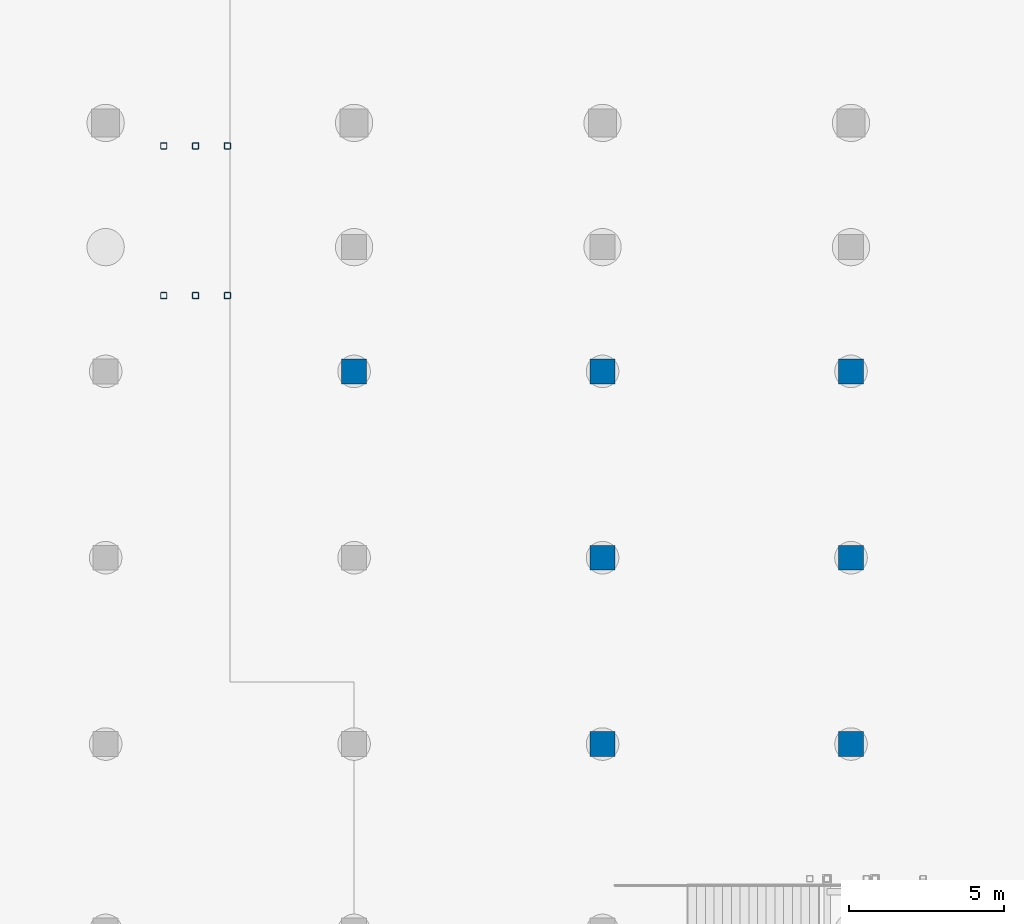
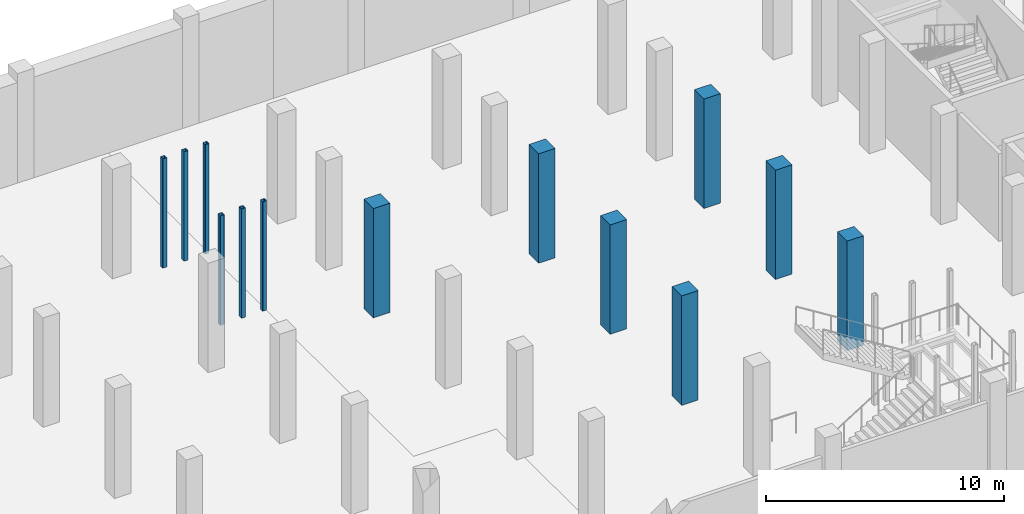
# One storey, part 7 of 26: 13 columns.
"""IFC4 building model written with IfcOpenShell, lengths in metres."""

from ifc_helpers import new_model, si_unit, direction, frame, origin, origin_2d, place, context, subcontext, project, spatial, rectangle, hollow_rectangle, extrude, material, material_profile, profile_set, type_object, element, save


model = new_model("IFC4")

# Units and contexts
model_context = context("Model", 3, precision=1e-05, world=origin(), true_north=direction((0.0, 1.0)))
body_context = subcontext(model_context, "Body", "Model", "MODEL_VIEW")
ifc_project = project(units=[si_unit("LENGTHUNIT", "METRE"), si_unit("AREAUNIT", "SQUARE_METRE"), si_unit("VOLUMEUNIT", "CUBIC_METRE"), si_unit("PLANEANGLEUNIT", "RADIAN"), si_unit("MASSUNIT", "GRAM", prefix="KILO")], contexts=[model_context])

# Site, building, storey
site_placement = place(None, origin())
site = spatial("IfcSite", under=ifc_project, at=site_placement, CompositionType="ELEMENT")
building_placement = place(site_placement, origin())
building = spatial("IfcBuilding", under=site, at=building_placement, Name="Verrall Gate Interchange", CompositionType="ELEMENT")
storey_placement = place(building_placement, frame((0.0, 0.0, -10.39990234375)))
storey = spatial("IfcBuildingStorey", under=building, at=storey_placement, Name="B2", CompositionType="ELEMENT", Elevation=-10.39990234375)

# Columns
ifc_material_1 = material(Name="Concrete CSA A23.1 40 MPa (Class N)", Category="concrete")
ifc_material_profile_1 = material_profile(ifc_material_1, rectangle(XDim=0.800048828125, YDim=0.800048828125, at=origin_2d()), Name="RC800x800")
ifc_profile_set_1 = profile_set([ifc_material_profile_1], Name="Concrete CSA A23.1 40 MPa (Class N)")
column_type_1 = type_object("IfcColumnType", Name="C-02 Column RC800x800", PredefinedType="COLUMN", material=ifc_profile_set_1)
for number, where, z_axis, x_axis, name in (
    (1, (76.0, 40.0, 0.0), (0.0, 0.0, 1.0), (1.0, 0.0, 0.0), "B2 Column COL-B2-0994 (C-02)"),
    (2, (84.0, 28.0, 0.0), (0.0, 0.0, 1.0), (1.0, 0.0, 0.0), "B2 Column COL-B2-1028 (C-02)"),
    (3, (84.0, 34.0, 0.0), (0.0, 0.0, 1.0), (1.0, 0.0, 0.0), "B2 Column COL-B2-1030 (C-02)"),
    (4, (84.0, 40.0, 0.0), (0.0, 0.0, 1.0), (1.0, 0.0, 0.0), "B2 Column COL-B2-1032 (C-02)"),
    (5, (92.0, 28.0, 0.0), (0.0, 0.0, 1.0), (1.0, 0.0, 0.0), "B2 Column COL-B2-1064 (C-02)"),
    (6, (92.0, 34.0, 0.0), (0.0, 0.0, 1.0), (1.0, 0.0, 0.0), "B2 Column COL-B2-1066 (C-02)"),
    (7, (92.0, 40.0, 0.0), (0.0, 0.0, 1.0), (1.0, 0.0, 0.0), "B2 Column COL-B2-1068 (C-02)"),
):
    element("IfcColumn", number, at=place(storey_placement, frame(where, z_axis=z_axis, x_axis=x_axis)), inside=storey, type_object=column_type_1, Name=name, PredefinedType="COLUMN", context=body_context, shape_type="SweptSolid", body=[
        extrude(rectangle(XDim=0.800048828125, YDim=0.800048828125, at=origin_2d()), origin(), (0.0, 0.0, 1.0), 5.599853515625),
    ])
ifc_material_2 = material(Name="Structural Steel CSA G40.21 350W", Category="steel")
ifc_material_profile_2 = material_profile(ifc_material_2, hollow_rectangle(XDim=0.202880859375, YDim=0.202880859375, WallThickness=0.009521484375, InnerFilletRadius=0.009521484375, OuterFilletRadius=0.01904296875, at=origin_2d()), Name="HSS203x203x9.5")
ifc_profile_set_2 = profile_set([ifc_material_profile_2], Name="Structural Steel CSA G40.21 350W")
column_type_2 = type_object("IfcColumnType", Name="C-14 Column HSS203x203x9.5", PredefinedType="COLUMN", material=ifc_profile_set_2)
for number, where, z_axis, x_axis, name in (
    (8, (69.8701171875, 42.43994140625, 0.0), (0.0, 0.0, 1.0), (1.0, 0.0, 0.0), "B2 ST-12 Landing Cradle Column"),
    (9, (69.8701171875, 47.260009765625, 0.0), (0.0, 0.0, 1.0), (1.0, 0.0, 0.0), "B2 ST-12 Landing Cradle Column"),
    (10, (70.89501953125, 42.43994140625, 0.0), (0.0, 0.0, 1.0), (1.0, 0.0, 0.0), "B2 ST-12 Landing Cradle Column"),
    (11, (70.89501953125, 47.260009765625, 0.0), (0.0, 0.0, 1.0), (1.0, 0.0, 0.0), "B2 ST-12 Landing Cradle Column"),
    (12, (71.919921875, 42.43994140625, 0.0), (0.0, 0.0, 1.0), (1.0, 0.0, 0.0), "B2 ST-12 Landing Cradle Column"),
    (13, (71.919921875, 47.260009765625, 0.0), (0.0, 0.0, 1.0), (1.0, 0.0, 0.0), "B2 ST-12 Landing Cradle Column"),
):
    element("IfcColumn", number, at=place(storey_placement, frame(where, z_axis=z_axis, x_axis=x_axis)), inside=storey, type_object=column_type_2, Name=name, PredefinedType="COLUMN", context=body_context, shape_type="SweptSolid", body=[
        extrude(hollow_rectangle(XDim=0.202880859375, YDim=0.202880859375, WallThickness=0.009521484375, InnerFilletRadius=0.009521484375, OuterFilletRadius=0.01904296875, at=origin_2d()), origin(), (0.0, 0.0, 1.0), 5.599853515625),
    ])

save(model, "model.ifc")
